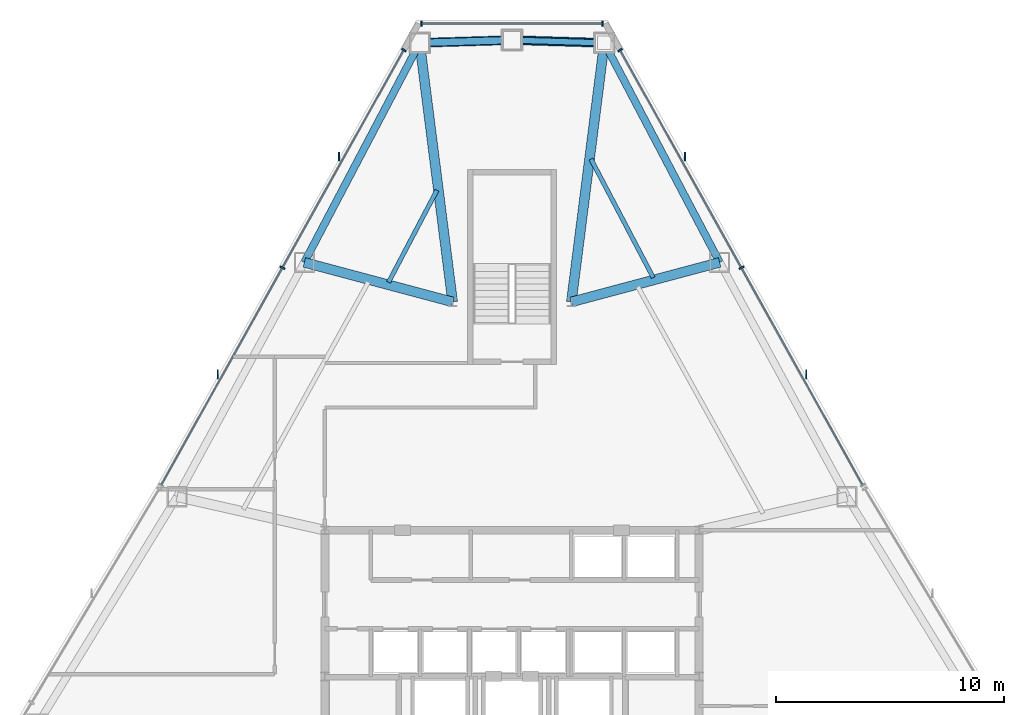
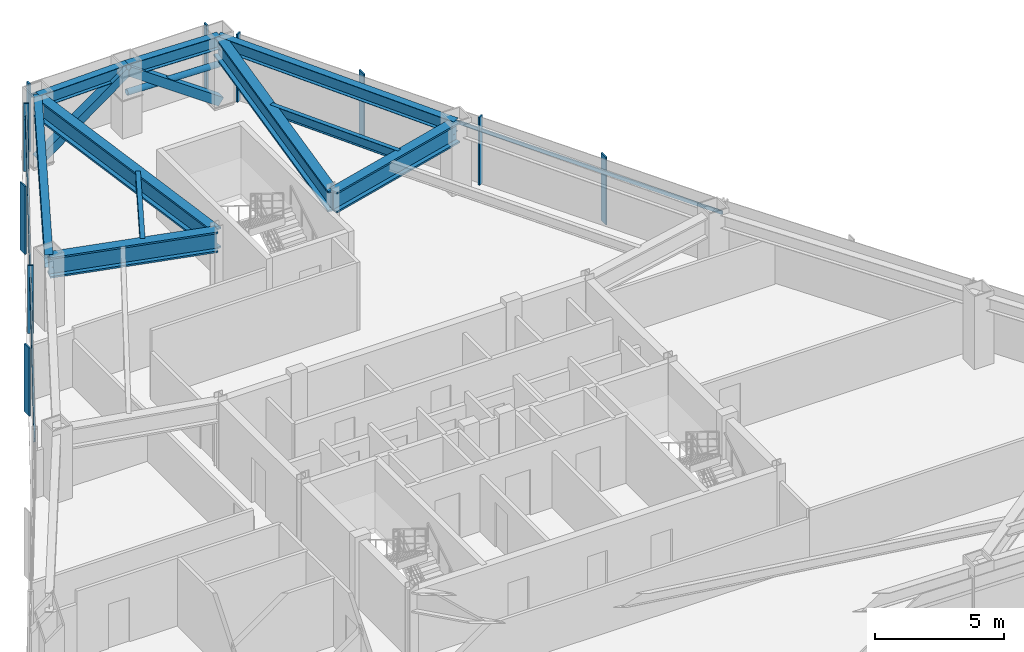
# One storey, part 8 of 13: 16 members, 10 beams, 3 elements without a shape of their own.
"""IFC4 building model written with IfcOpenShell, lengths in metres."""

import ifcopenshell
import ifcopenshell.guid

model = None  # the IFC model being written
_history = None  # IfcOwnerHistory: only IFC2X3 demands one
_inside = {}  # id of a spatial element -> (the spatial element, [elements in it])
_under = {}  # id of a project, library or spatial element -> (it, [spatial elements below it])
_declared = {}  # id of a project -> (the project, [libraries it declares])
_typed = {}  # id of a type object -> (the type object, [elements of that type])
_made_of = {}  # id of a material, layer set ... -> (it, [elements and type objects made of it])


def new_model(schema):
    """Start an empty IFC model of exactly this schema.

    Asked for "IFC4X3", IfcOpenShell would pick the latest addendum, in which some entities
    have other attributes; the version numbers below select the first issue.
    IFC2X3 requires an IfcOwnerHistory on every rooted entity: one is made here for all.
    """
    global model, _history
    if schema == "IFC4X3":
        model = ifcopenshell.file(schema_version=(4, 3, 0, 0))
    else:
        model = ifcopenshell.file(schema=schema)
    _inside.clear()
    _under.clear()
    _declared.clear()
    _typed.clear()
    _made_of.clear()
    _history = None
    if model.schema == "IFC2X3":
        org = make("IfcOrganization", Name="unknown")
        user = make(
            "IfcPersonAndOrganization",
            ThePerson=make("IfcPerson", FamilyName="unknown"),
            TheOrganization=org,
        )
        app = make(
            "IfcApplication",
            ApplicationDeveloper=org,
            Version="unknown",
            ApplicationFullName="unknown",
            ApplicationIdentifier="unknown",
        )
        _history = make(
            "IfcOwnerHistory",
            OwningUser=user,
            OwningApplication=app,
            ChangeAction="ADDED",
            CreationDate=0,
        )
    return model


def make(cls, **values):
    """One entity of the class cls with the attributes given. An attribute that is None is left unset."""
    return model.create_entity(
        cls, **{name: value for name, value in values.items() if value is not None}
    )


def rooted(cls, **values):
    """An entity with a GlobalId (a new one), such as an element, a storey or a relation."""
    return make(cls, GlobalId=ifcopenshell.guid.new(), OwnerHistory=_history, **values)


def si_unit(unit_type, name, prefix=None):
    """IfcSIUnit, for example si_unit("LENGTHUNIT", "METRE", prefix="MILLI")."""
    return make("IfcSIUnit", UnitType=unit_type, Prefix=prefix, Name=name)


def assignment(units):
    """IfcUnitAssignment: the units of a project."""
    return None if units is None else make("IfcUnitAssignment", Units=units)


def point(xyz):
    """IfcCartesianPoint."""
    return None if xyz is None else make("IfcCartesianPoint", Coordinates=xyz)


def direction(xyz):
    """IfcDirection."""
    return None if xyz is None else make("IfcDirection", DirectionRatios=xyz)


def frame(location, z_axis=None, x_axis=None):
    """IfcAxis2Placement3D, a coordinate frame: its origin and axes. An axis left out is left unset."""
    return make(
        "IfcAxis2Placement3D",
        Location=point(location),
        Axis=direction(z_axis),
        RefDirection=direction(x_axis),
    )


def frame_2d(location, x_axis=None):
    """IfcAxis2Placement2D, a coordinate frame in the plane: its origin and x axis."""
    return make(
        "IfcAxis2Placement2D", Location=point(location), RefDirection=direction(x_axis)
    )


def origin():
    """The frame at (0, 0, 0) with its axes left unset."""
    return frame((0.0, 0.0, 0.0))


def origin_2d():
    """The frame at (0, 0) in the plane with its x axis left unset."""
    return frame_2d((0.0, 0.0))


def place(relative_to, where):
    """IfcLocalPlacement: puts the frame where relative to a parent placement (None: the world)."""
    return make(
        "IfcLocalPlacement", PlacementRelTo=relative_to, RelativePlacement=where
    )


def context(
    kind, dimensions, precision=None, world=None, true_north=None, identifier=None
):
    """IfcGeometricRepresentationContext, for example the 3D "Model" context."""
    return make(
        "IfcGeometricRepresentationContext",
        ContextIdentifier=identifier,
        ContextType=kind,
        CoordinateSpaceDimension=dimensions,
        Precision=precision,
        WorldCoordinateSystem=world,
        TrueNorth=true_north,
    )


def subcontext(parent, identifier, kind, view, scale=None):
    """IfcGeometricRepresentationSubContext, for example "Body" below "Model"."""
    return make(
        "IfcGeometricRepresentationSubContext",
        ContextIdentifier=identifier,
        ContextType=kind,
        ParentContext=parent,
        TargetScale=scale,
        TargetView=view,
    )


def project(units=None, contexts=None):
    """IfcProject with its units and contexts."""
    return rooted(
        "IfcProject",
        Name="project",
        RepresentationContexts=contexts,
        UnitsInContext=assignment(units),
    )


def spatial(cls, under=None, at=None, **own):
    """A site, building, storey or space (cls), placed at a placement, below another one or the project."""
    s = rooted(cls, ObjectPlacement=at, **own)
    if under is not None:
        _under.setdefault(under.id(), (under, []))[1].append(s)
    return s


def profile(cls, at=None, kind="AREA", **sizes):
    """A parametric profile (cls). Its sizes go by their IFC names, for example OverallWidth=200.0."""
    return make(cls, ProfileType=kind, Position=at, **sizes)


def rectangle(**sizes):
    """IfcRectangleProfileDef."""
    return profile("IfcRectangleProfileDef", **sizes)


def hollow_rectangle(**sizes):
    """IfcRectangleHollowProfileDef."""
    return profile("IfcRectangleHollowProfileDef", **sizes)


def hollow_circle(**sizes):
    """IfcCircleHollowProfileDef."""
    return profile("IfcCircleHollowProfileDef", **sizes)


def i_section(**sizes):
    """IfcIShapeProfileDef."""
    return profile("IfcIShapeProfileDef", **sizes)


def extrude(swept, where, along, depth):
    """IfcExtrudedAreaSolid: the profile swept, set in the frame where, extruded along a direction by depth."""
    return make(
        "IfcExtrudedAreaSolid",
        SweptArea=swept,
        Position=where,
        ExtrudedDirection=direction(along),
        Depth=depth,
    )


def shape(context_of_items, identifier, shape_type, items):
    """IfcShapeRepresentation: the items that make up one representation, for example the "Body"."""
    return make(
        "IfcShapeRepresentation",
        ContextOfItems=context_of_items,
        RepresentationIdentifier=identifier,
        RepresentationType=shape_type,
        Items=items,
    )


def source(mapping_origin, context_of_items, identifier, shape_type, items):
    """IfcRepresentationMap: a shape defined once, which mapped items show again and again."""
    return make(
        "IfcRepresentationMap",
        MappingOrigin=mapping_origin,
        MappedRepresentation=shape(context_of_items, identifier, shape_type, items),
    )


def transform(
    local_origin,
    x_axis=None,
    y_axis=None,
    z_axis=None,
    scale=None,
    scale2=None,
    scale3=None,
    uniform=True,
):
    """IfcCartesianTransformationOperator3D, or its non-uniform kind. x_axis, y_axis, z_axis: its Axis1, 2, 3."""
    if uniform:
        return make(
            "IfcCartesianTransformationOperator3D",
            Axis1=direction(x_axis),
            Axis2=direction(y_axis),
            LocalOrigin=point(local_origin),
            Scale=scale,
            Axis3=direction(z_axis),
        )
    return make(
        "IfcCartesianTransformationOperator3DnonUniform",
        Axis1=direction(x_axis),
        Axis2=direction(y_axis),
        LocalOrigin=point(local_origin),
        Scale=scale,
        Axis3=direction(z_axis),
        Scale2=scale2,
        Scale3=scale3,
    )


def mapped(mapping_source, mapping_target):
    """IfcMappedItem: shows the shape of a source again, moved by a transform."""
    return make(
        "IfcMappedItem", MappingSource=mapping_source, MappingTarget=mapping_target
    )


def material(Name=None, Category=None):
    """IfcMaterial."""
    return make("IfcMaterial", Name=Name, Category=Category)


def layer(
    of_material, thickness, ventilated=None, Name=None, Category=None, Priority=None
):
    """IfcMaterialLayer: one layer of a wall or slab, of a material (None: an air gap)."""
    return make(
        "IfcMaterialLayer",
        Material=of_material,
        LayerThickness=thickness,
        IsVentilated=ventilated,
        Name=Name,
        Category=Category,
        Priority=Priority,
    )


def layer_set(layers, Name=None):
    """IfcMaterialLayerSet."""
    return make("IfcMaterialLayerSet", MaterialLayers=layers, LayerSetName=Name)


def material_profile(
    of_material, cross_section, Name=None, Category=None, Priority=None
):
    """IfcMaterialProfile: a cross section and its material."""
    return make(
        "IfcMaterialProfile",
        Name=Name,
        Material=of_material,
        Profile=cross_section,
        Priority=Priority,
        Category=Category,
    )


def profile_set(profiles, Name=None, composite=None):
    """IfcMaterialProfileSet."""
    return make(
        "IfcMaterialProfileSet",
        Name=Name,
        MaterialProfiles=profiles,
        CompositeProfile=composite,
    )


def made_of(thing, what):
    """Note that an element or type object is made of a material, layer set ...; save() writes the relation."""
    if what is not None:
        _made_of.setdefault(what.id(), (what, []))[1].append(thing)
    return thing


def type_object(cls, material=None, **own):
    """A type object (cls), such as IfcWallType, which elements share."""
    return made_of(rooted(cls, **own), material)


def type_shapes(of_type, sources):
    """Give a type object the sources (RepresentationMaps) that its elements show as mapped items."""
    of_type.RepresentationMaps = sources


def element(
    cls,
    number,
    at=None,
    inside=None,
    cuts=None,
    type_object=None,
    material=None,
    context=None,
    identifier="Body",
    shape_type=None,
    held_by="IfcProductDefinitionShape",
    body=None,
    shapes=None,
    **own,
):
    """One element of the class cls, such as IfcWall. Its Tag is "e" and its number.

    at: its placement. inside: the storey or other place that contains it. cuts: it is an
    opening in that element (IfcRelVoidsElement). A single representation is given by context,
    identifier, shape_type and body (its items); several are given by shapes. held_by: the class
    of the entity that holds the representations. save() writes the other relations.
    """
    e = rooted(cls, Tag="e%d" % number, ObjectPlacement=at, **own)
    if body is not None:
        shapes = [shape(context, identifier, shape_type, body)]
    if shapes is not None:
        e.Representation = make(held_by, Representations=shapes)
    if inside is not None:
        _inside.setdefault(inside.id(), (inside, []))[1].append(e)
    if cuts is not None:
        rooted(
            "IfcRelVoidsElement", RelatingBuildingElement=cuts, RelatedOpeningElement=e
        )
    if type_object is not None:
        _typed.setdefault(type_object.id(), (type_object, []))[1].append(e)
    return made_of(e, material)


def aggregate(whole, parts):
    """IfcRelAggregates: a whole, such as a stair, and the parts it consists of."""
    return rooted("IfcRelAggregates", RelatingObject=whole, RelatedObjects=parts)


def save(model, path):
    """Write the relations noted so far, then the file.

    IfcRelAggregates (storeys below a building ...), IfcRelContainedInSpatialStructure (elements
    in a storey), IfcRelDefinesByType, IfcRelAssociatesMaterial and IfcRelDeclares: one each for
    every whole, place, type object, material and project.
    """
    for whole, parts in _under.values():
        aggregate(whole, parts)
    for where, things in _inside.values():
        rooted(
            "IfcRelContainedInSpatialStructure",
            RelatedElements=things,
            RelatingStructure=where,
        )
    for kind, things in _typed.values():
        rooted("IfcRelDefinesByType", RelatedObjects=things, RelatingType=kind)
    for what, things in _made_of.values():
        rooted("IfcRelAssociatesMaterial", RelatedObjects=things, RelatingMaterial=what)
    for by, libraries in _declared.values():
        rooted("IfcRelDeclares", RelatingContext=by, RelatedDefinitions=libraries)
    model.write(path)


model = new_model("IFC4")

# Units and contexts
model_context = context("Model", 3, precision=1e-05, world=origin(), true_north=direction((0.0, 1.0)))
body_context = subcontext(model_context, "Body", "Model", "MODEL_VIEW")
ifc_project = project(units=[si_unit("LENGTHUNIT", "METRE"), si_unit("AREAUNIT", "SQUARE_METRE"), si_unit("VOLUMEUNIT", "CUBIC_METRE"), si_unit("PLANEANGLEUNIT", "RADIAN"), si_unit("MASSUNIT", "GRAM", prefix="KILO")], contexts=[model_context])

# Site, building, storey
site_placement = place(None, origin())
site = spatial("IfcSite", under=ifc_project, at=site_placement, CompositionType="ELEMENT")
building_placement = place(site_placement, origin())
building = spatial("IfcBuilding", under=site, at=building_placement, Name="Varakhsha Concourse Tower", CompositionType="ELEMENT")
storey_placement = place(building_placement, frame((0.0, 0.0, 147.050048828125)))
storey = spatial("IfcBuildingStorey", under=building, at=storey_placement, Name="L42", CompositionType="ELEMENT", Elevation=147.050048828125)

# Beams
ifc_material_1 = material(Name="Structural Steel ASTM A992 Grade 50", Category="steel")
ifc_material_profile_1 = material_profile(ifc_material_1, i_section(OverallWidth=0.19091796875, OverallDepth=0.45703125, WebThickness=0.009033203125, FlangeThickness=0.013916015625, at=origin_2d()), Name="W18X50")
ifc_profile_set_1 = profile_set([ifc_material_profile_1], Name="Structural Steel ASTM A992 Grade 50")
beam_type_1 = type_object("IfcBeamType", Name="BM-JST-W18X50", PredefinedType="JOIST", material=ifc_profile_set_1)
beam_1_placement = place(storey_placement, frame((36.714111328125, 46.095947265625, 2.9814453125), z_axis=(-0.465285106883, -0.885160871996, 0.0), x_axis=(0.885160871996, -0.465285106883, 0.0)))
element("IfcBeam", 1, at=beam_1_placement, inside=storey, type_object=beam_type_1, Name="BM-TJST-L42-03", PredefinedType="JOIST", context=body_context, shape_type="SweptSolid", body=[
    extrude(i_section(OverallWidth=0.19091796875, OverallDepth=0.45703125, WebThickness=0.009033203125, FlangeThickness=0.013916015625, at=origin_2d()), origin(), (0.0, 0.0, 1.0), 4.559326171875),
])
beam_2_placement = place(storey_placement, frame((46.186767578125, 42.268310546875, 2.9814453125), z_axis=(-0.465277815466, 0.885164704694, 0.0), x_axis=(-0.885164704694, -0.465277815466, 0.0)))
element("IfcBeam", 2, at=beam_2_placement, inside=storey, type_object=beam_type_1, Name="BM-TJST-L42-18", PredefinedType="JOIST", context=body_context, shape_type="SweptSolid", body=[
    extrude(i_section(OverallWidth=0.19091796875, OverallDepth=0.45703125, WebThickness=0.009033203125, FlangeThickness=0.013916015625, at=origin_2d()), origin(), (0.0, 0.0, 1.0), 5.86279296875),
])
ifc_material_profile_2 = material_profile(ifc_material_1, i_section(OverallWidth=0.323974609375, OverallDepth=0.611083984375, WebThickness=0.012939453125, FlangeThickness=0.01904296875, at=origin_2d()), Name="W24X104")
ifc_profile_set_2 = profile_set([ifc_material_profile_2], Name="Structural Steel ASTM A992 Grade 50")
beam_type_2 = type_object("IfcBeamType", Name="BM-SPAN-W24X104", PredefinedType="SPANDREL", material=ifc_profile_set_2)
for number, where, z_axis, x_axis, name in (
    (3, (44.042724609375, 52.54833984375, 2.904541015625), (-0.99954625984, 0.030120996658, 0.0), (-0.030120996658, -0.99954625984, 0.0), "BM-SPAN-L42-01"),
    (4, (40.0, 52.670166015625, 2.904541015625), (-0.99954625984, -0.030120996658, 0.0), (0.030120996658, -0.99954625984, 0.0), "BM-SPAN-L42-02"),
):
    element("IfcBeam", number, at=place(storey_placement, frame(where, z_axis=z_axis, x_axis=x_axis)), inside=storey, type_object=beam_type_2, Name=name, PredefinedType="SPANDREL", context=body_context, shape_type="SweptSolid", body=[
        extrude(i_section(OverallWidth=0.323974609375, OverallDepth=0.611083984375, WebThickness=0.012939453125, FlangeThickness=0.01904296875, at=origin_2d()), origin(), (0.0, 0.0, 1.0), 4.044677734375),
    ])
for number, where, z_axis, x_axis, name in (
    (5, (35.957275390625, 52.54833984375, 2.904541015625), (-0.465256299169, -0.885176014182, 0.0), (0.885176014182, -0.465256299169, 0.0), "BM-SPAN-L42-03"),
    (6, (49.09619140625, 42.933837890625, 2.904541015625), (-0.465256299169, 0.885176014182, 0.0), (-0.885176014182, -0.465256299169, 0.0), "BM-SPAN-L42-18"),
):
    element("IfcBeam", number, at=place(storey_placement, frame(where, z_axis=z_axis, x_axis=x_axis)), inside=storey, type_object=beam_type_2, Name=name, PredefinedType="SPANDREL", context=body_context, shape_type="SweptSolid", body=[
        extrude(i_section(OverallWidth=0.323974609375, OverallDepth=0.611083984375, WebThickness=0.012939453125, FlangeThickness=0.01904296875, at=origin_2d()), origin(), (0.0, 0.0, 1.0), 10.861572265625),
    ])
ifc_material_profile_3 = material_profile(ifc_material_1, i_section(OverallWidth=0.427978515625, OverallDepth=0.97509765625, WebThickness=0.050048828125, FlangeThickness=0.0810546875, at=origin_2d()), Name="W36X395")
ifc_profile_set_3 = profile_set([ifc_material_profile_3], Name="Structural Steel ASTM A992 Grade 50")
beam_type_3 = type_object("IfcBeamType", Name="BM-XFER-W36X395", PredefinedType="USERDEFINED", material=ifc_profile_set_3)
for number, where, z_axis, x_axis, name in (
    (7, (42.60009765625, 41.199951171875, 2.722412109375), (0.126106887287, 0.992016659628, 0.0), (-0.992016659628, 0.126106887287, 0.0), "L42 Radial Floor Girder 01"),
    (8, (37.39990234375, 41.199951171875, 2.722412109375), (-0.126106887287, 0.992016659628, 0.0), (-0.992016659628, -0.126106887287, 0.0), "L42 Radial Floor Girder 03"),
):
    element("IfcBeam", number, at=place(storey_placement, frame(where, z_axis=z_axis, x_axis=x_axis)), inside=storey, type_object=beam_type_3, Name=name, ObjectType="GIRDER", PredefinedType="USERDEFINED", context=body_context, shape_type="SweptSolid", body=[
        extrude(i_section(OverallWidth=0.427978515625, OverallDepth=0.97509765625, WebThickness=0.050048828125, FlangeThickness=0.0810546875, at=origin_2d()), origin(), (0.0, 0.0, 1.0), 11.439697265625),
    ])
for number, where, z_axis, x_axis, name in (
    (9, (37.39990234375, 41.199951171875, 2.722412109375), (-0.966175851561, 0.25788412875, 0.0), (-0.25788412875, -0.966175851561, 0.0), "L42 Radial Floor Girder 04"),
    (10, (42.60009765625, 41.199951171875, 2.722412109375), (0.966175851561, 0.25788412875, 0.0), (-0.25788412875, 0.966175851561, 0.0), "L42 Radial Floor Girder 18"),
):
    element("IfcBeam", number, at=place(storey_placement, frame(where, z_axis=z_axis, x_axis=x_axis)), inside=storey, type_object=beam_type_3, Name=name, ObjectType="GIRDER", PredefinedType="USERDEFINED", context=body_context, shape_type="SweptSolid", body=[
        extrude(i_section(OverallWidth=0.427978515625, OverallDepth=0.97509765625, WebThickness=0.050048828125, FlangeThickness=0.0810546875, at=origin_2d()), origin(), (0.0, 0.0, 1.0), 6.7236328125),
    ])

# Members
ifc_material_2 = material(Name="Structural Steel ASTM A500 Grade C", Category="steel")
ifc_material_profile_4 = material_profile(ifc_material_2, hollow_rectangle(XDim=0.39990234375, YDim=0.39990234375, WallThickness=0.01611328125, at=origin_2d()), Name="HSS 400x400x16")
ifc_profile_set_4 = profile_set([ifc_material_profile_4], Name="Structural Steel ASTM A500 Grade C")
member_type_1 = type_object("IfcMemberType", Name="MB-TUBE-HSS400", PredefinedType="BRACE", material=ifc_profile_set_4)
shared_shape_1 = source(origin(), body_context, "Body", "SweptSolid", [
    extrude(hollow_rectangle(XDim=0.39990234375, YDim=0.39990234375, WallThickness=0.01611328125, at=origin_2d()), origin(), (0.0, 0.0, 1.0), 4.91357421875),
])
type_shapes(member_type_1, [shared_shape_1])
for number, where, z_axis, x_axis, name in (
    (11, (44.042724609375, 52.54833984375, 0.119873046875), (-0.822773893331, 0.024794019734, 0.567827770577), (-0.030120996658, -0.99954625984, 0.0), "L42 Wind-Corner Tube Brace B01"),
    (12, (35.957275390625, 52.54833984375, 0.119873046875), (0.822773893331, 0.024794019734, 0.567827770577), (-0.030120996658, 0.99954625984, 0.0), "L42 Wind-Corner Tube Brace B02"),
):
    element("IfcMember", number, at=place(storey_placement, frame(where, z_axis=z_axis, x_axis=x_axis)), inside=storey, type_object=member_type_1, Name=name, PredefinedType="BRACE", context=body_context, shape_type="MappedRepresentation", body=[
        mapped(shared_shape_1, transform((0.0, 0.0, 0.0), scale=1.0)),
    ])
ifc_material_profile_5 = material_profile(ifc_material_2, hollow_circle(Radius=0.136474609375, WallThickness=0.011962890625, at=origin_2d()), Name="CHS 273x12")
ifc_profile_set_5 = profile_set([ifc_material_profile_5], Name="Structural Steel ASTM A500 Grade C")
member_type_2 = type_object("IfcMemberType", Name="MB-WIND-CHS273", PredefinedType="COLLAR", material=ifc_profile_set_5)
shared_shape_2 = source(origin(), body_context, "Body", "SweptSolid", [
    extrude(hollow_circle(Radius=0.136474609375, WallThickness=0.011962890625, at=origin_2d()), origin(), (0.0, 0.0, 1.0), 4.044677734375),
])
type_shapes(member_type_2, [shared_shape_2])
member_1_placement = place(storey_placement, frame((44.042724609375, 52.54833984375, 1.800048828125), z_axis=(-0.99954625984, 0.030120996658, 0.0), x_axis=(-0.030120996658, -0.99954625984, 0.0)))
element("IfcMember", 13, at=member_1_placement, inside=storey, type_object=member_type_2, Name="L42 Wind-Corner Collar Tie 1", PredefinedType="COLLAR", context=body_context, shape_type="MappedRepresentation", body=[
    mapped(shared_shape_2, transform((0.0, 0.0, 0.0), scale=1.0)),
])

# Curtain wall, members
ifc_material_3 = material(Name="Anodised Bronze Architectural Aluminium AA 6063-T6", Category="aluminium")
ifc_layer = layer(ifc_material_3, 0.2099609375, Name="CW-SYS-04")
ifc_layer_set = layer_set([ifc_layer], Name="Anodised Bronze Architectural Aluminium AA 6063-T6")
curtain_wall_type = type_object("IfcCurtainWallType", Name="CW-SYS-04", PredefinedType="NOTDEFINED", material=ifc_layer_set)
curtain_wall_1_placement = place(storey_placement, origin())
curtain_wall_1 = element("IfcCurtainWall", 14, at=curtain_wall_1_placement, inside=storey, type_object=curtain_wall_type, Name="L42 Chamfer Curtain Wall F1", PredefinedType="NOTDEFINED")
ifc_material_profile_6 = material_profile(ifc_material_3, rectangle(XDim=0.074951171875, YDim=0.219970703125, at=origin_2d()), Name="CWM-220X75")
ifc_profile_set_6 = profile_set([ifc_material_profile_6], Name="Anodised Bronze Architectural Aluminium AA 6063-T6")
member_type_3 = type_object("IfcMemberType", Name="CWM-220X75", PredefinedType="MULLION", material=ifc_profile_set_6)
shared_shape_3 = source(origin(), body_context, "Body", "SweptSolid", [
    extrude(rectangle(XDim=0.074951171875, YDim=0.219970703125, at=origin_2d()), origin(), (0.0, 0.0, 1.0), 3.2099609375),
])
type_shapes(member_type_3, [shared_shape_3])
member_2_placement = place(storey_placement, frame((36.0341796875, 53.39013671875, 0.0), z_axis=(0.0, 0.0, 1.0), x_axis=(1.0, 0.0, 0.0)))
member_2 = element("IfcMember", 15, at=member_2_placement, type_object=member_type_3, Name="CW-L42-F1 Mullion 00", PredefinedType="MULLION", context=body_context, shape_type="MappedRepresentation", body=[
    mapped(shared_shape_3, transform((0.0, 0.0, 0.0), scale=1.0)),
])
member_3_placement = place(storey_placement, frame((43.9658203125, 53.39013671875, 0.0), z_axis=(0.0, 0.0, 1.0), x_axis=(1.0, 0.0, 0.0)))
member_3 = element("IfcMember", 16, at=member_3_placement, type_object=member_type_3, Name="CW-L42-F1 Mullion 01", PredefinedType="MULLION", context=body_context, shape_type="MappedRepresentation", body=[
    mapped(shared_shape_3, transform((0.0, 0.0, 0.0), scale=1.0)),
])

curtain_wall_2_placement = place(storey_placement, origin())
curtain_wall_2 = element("IfcCurtainWall", 17, at=curtain_wall_2_placement, inside=storey, type_object=curtain_wall_type, Name="L42 Crystal Curtain Wall F2", PredefinedType="NOTDEFINED")
member_4_placement = place(storey_placement, frame((29.94873046875, 42.69921875, 0.0), z_axis=(0.0, 0.0, 1.0), x_axis=(0.48689953646, 0.873457979181, 0.0)))
member_4 = element("IfcMember", 18, at=member_4_placement, type_object=member_type_3, Name="CW-L42-F2 Mullion 01", PredefinedType="MULLION", context=body_context, shape_type="MappedRepresentation", body=[
    mapped(shared_shape_3, transform((0.0, 0.0, 0.0), scale=1.0)),
])
member_5_placement = place(storey_placement, frame((35.2626953125, 52.23193359375, 0.0), z_axis=(0.0, 0.0, 1.0), x_axis=(0.48689953646, 0.873457979181, 0.0)))
member_5 = element("IfcMember", 19, at=member_5_placement, type_object=member_type_3, Name="CW-L42-F2 Mullion 02", PredefinedType="MULLION", context=body_context, shape_type="MappedRepresentation", body=[
    mapped(shared_shape_3, transform((0.0, 0.0, 0.0), scale=1.0)),
])

curtain_wall_3_placement = place(storey_placement, origin())
curtain_wall_3 = element("IfcCurtainWall", 20, at=curtain_wall_3_placement, inside=storey, type_object=curtain_wall_type, Name="L42 Crystal Curtain Wall F9", PredefinedType="NOTDEFINED")
member_6_placement = place(storey_placement, frame((44.7373046875, 52.23193359375, 0.0), z_axis=(0.0, 0.0, 1.0), x_axis=(0.48689953646, -0.873457979181, 0.0)))
member_6 = element("IfcMember", 21, at=member_6_placement, type_object=member_type_3, Name="CW-L42-F9 Mullion 00", PredefinedType="MULLION", context=body_context, shape_type="MappedRepresentation", body=[
    mapped(shared_shape_3, transform((0.0, 0.0, 0.0), scale=1.0)),
])
member_7_placement = place(storey_placement, frame((50.051513671875, 42.69921875, 0.0), z_axis=(0.0, 0.0, 1.0), x_axis=(0.48689953646, -0.873457979181, 0.0)))
member_7 = element("IfcMember", 22, at=member_7_placement, type_object=member_type_3, Name="CW-L42-F9 Mullion 01", PredefinedType="MULLION", context=body_context, shape_type="MappedRepresentation", body=[
    mapped(shared_shape_3, transform((0.0, 0.0, 0.0), scale=1.0)),
])

# Member
ifc_material_profile_7 = material_profile(ifc_material_3, rectangle(XDim=0.06005859375, YDim=0.3798828125, at=origin_2d()), Name="FIN-BRZ-380")
ifc_profile_set_7 = profile_set([ifc_material_profile_7], Name="Anodised Bronze Architectural Aluminium AA 6063-T6")
member_type_4 = type_object("IfcMemberType", Name="FIN-BRZ-380", PredefinedType="USERDEFINED", material=ifc_profile_set_7)
shared_shape_4 = source(origin(), body_context, "Body", "SweptSolid", [
    extrude(rectangle(XDim=0.06005859375, YDim=0.3798828125, at=origin_2d()), origin(), (0.0, 0.0, 1.0), 3.2099609375),
])
type_shapes(member_type_4, [shared_shape_4])
member_8_placement = place(storey_placement, frame((27.112548828125, 38.032470703125, 0.0), z_axis=(0.0, 0.0, 1.0), x_axis=(1.0, 0.0, 0.0)))
member_8 = element("IfcMember", 23, at=member_8_placement, type_object=member_type_4, Name="L42 Anodised Bronze Solar Fin F2-1", ObjectType="SOLAR FIN", PredefinedType="USERDEFINED", context=body_context, shape_type="MappedRepresentation", body=[
    mapped(shared_shape_4, transform((0.0, 0.0, 0.0), scale=1.0)),
])

member_9_placement = place(storey_placement, frame((32.426513671875, 47.565185546875, 0.0), z_axis=(0.0, 0.0, 1.0), x_axis=(1.0, 0.0, 0.0)))
member_9 = element("IfcMember", 24, at=member_9_placement, type_object=member_type_4, Name="L42 Anodised Bronze Solar Fin F2-2", ObjectType="SOLAR FIN", PredefinedType="USERDEFINED", context=body_context, shape_type="MappedRepresentation", body=[
    mapped(shared_shape_4, transform((0.0, 0.0, 0.0), scale=1.0)),
])

member_10_placement = place(storey_placement, frame((47.573486328125, 47.565185546875, 0.0), z_axis=(0.0, 0.0, 1.0), x_axis=(1.0, 0.0, 0.0)))
member_10 = element("IfcMember", 25, at=member_10_placement, type_object=member_type_4, Name="L42 Anodised Bronze Solar Fin F9-1", ObjectType="SOLAR FIN", PredefinedType="USERDEFINED", context=body_context, shape_type="MappedRepresentation", body=[
    mapped(shared_shape_4, transform((0.0, 0.0, 0.0), scale=1.0)),
])

member_11_placement = place(storey_placement, frame((52.887451171875, 38.032470703125, 0.0), z_axis=(0.0, 0.0, 1.0), x_axis=(1.0, 0.0, 0.0)))
member_11 = element("IfcMember", 26, at=member_11_placement, type_object=member_type_4, Name="L42 Anodised Bronze Solar Fin F9-2", ObjectType="SOLAR FIN", PredefinedType="USERDEFINED", context=body_context, shape_type="MappedRepresentation", body=[
    mapped(shared_shape_4, transform((0.0, 0.0, 0.0), scale=1.0)),
])

ifc_material_profile_8 = material_profile(ifc_material_3, rectangle(XDim=0.06494140625, YDim=0.159912109375, at=origin_2d()), Name="CWT-160X65")
ifc_profile_set_8 = profile_set([ifc_material_profile_8], Name="Anodised Bronze Architectural Aluminium AA 6063-T6")
member_type_5 = type_object("IfcMemberType", Name="CWT-160X65", PredefinedType="USERDEFINED", material=ifc_profile_set_8)
shared_shape_5 = source(origin(), body_context, "Body", "SweptSolid", [
    extrude(rectangle(XDim=0.06494140625, YDim=0.159912109375, at=origin_2d()), origin(), (0.0, 0.0, 1.0), 21.827880859375),
])
member_12_placement = place(storey_placement, frame((24.634765625, 33.166259765625, 2.56005859375), z_axis=(0.486898825719, 0.873458375376, 0.0), x_axis=(-0.873458375376, 0.486898825719, 0.0)))
member_12 = element("IfcMember", 27, at=member_12_placement, type_object=member_type_5, Name="CW-L42-F2 Transom 01", ObjectType="TRANSOM", PredefinedType="USERDEFINED", context=body_context, shape_type="MappedRepresentation", body=[
    mapped(shared_shape_5, transform((0.0, 0.0, 0.0), scale=1.0)),
])

aggregate(curtain_wall_2, [member_4, member_5, member_12, member_8, member_9])

member_13_placement = place(storey_placement, frame((44.7373046875, 52.23193359375, 2.56005859375), z_axis=(0.486898825719, -0.873458375376, 0.0), x_axis=(0.873458375376, 0.486898825719, 0.0)))
member_13 = element("IfcMember", 28, at=member_13_placement, type_object=member_type_5, Name="CW-L42-F9 Transom 01", ObjectType="TRANSOM", PredefinedType="USERDEFINED", context=body_context, shape_type="MappedRepresentation", body=[
    mapped(shared_shape_5, transform((0.0, 0.0, 0.0), scale=1.0)),
])

aggregate(curtain_wall_3, [member_6, member_7, member_13, member_10, member_11])

shared_shape_6 = source(origin(), body_context, "Body", "SweptSolid", [
    extrude(rectangle(XDim=0.06494140625, YDim=0.159912109375, at=origin_2d()), origin(), (0.0, 0.0, 1.0), 7.931640625),
])
type_shapes(member_type_5, [shared_shape_5, shared_shape_6])
member_14_placement = place(storey_placement, frame((36.0341796875, 53.39013671875, 2.56005859375), z_axis=(1.0, 0.0, 0.0), x_axis=(0.0, 1.0, 0.0)))
member_14 = element("IfcMember", 29, at=member_14_placement, type_object=member_type_5, Name="CW-L42-F1 Transom 01", ObjectType="TRANSOM", PredefinedType="USERDEFINED", context=body_context, shape_type="MappedRepresentation", body=[
    mapped(shared_shape_6, transform((0.0, 0.0, 0.0), scale=1.0)),
])

aggregate(curtain_wall_1, [member_2, member_3, member_14])

save(model, "model.ifc")
